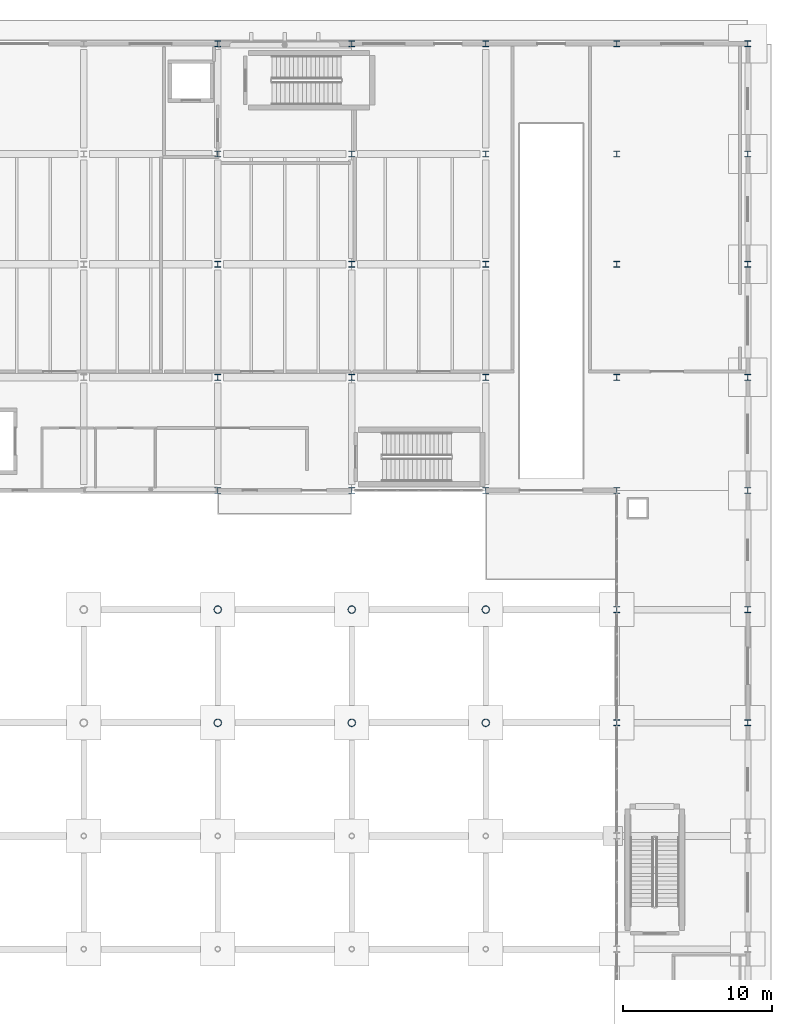
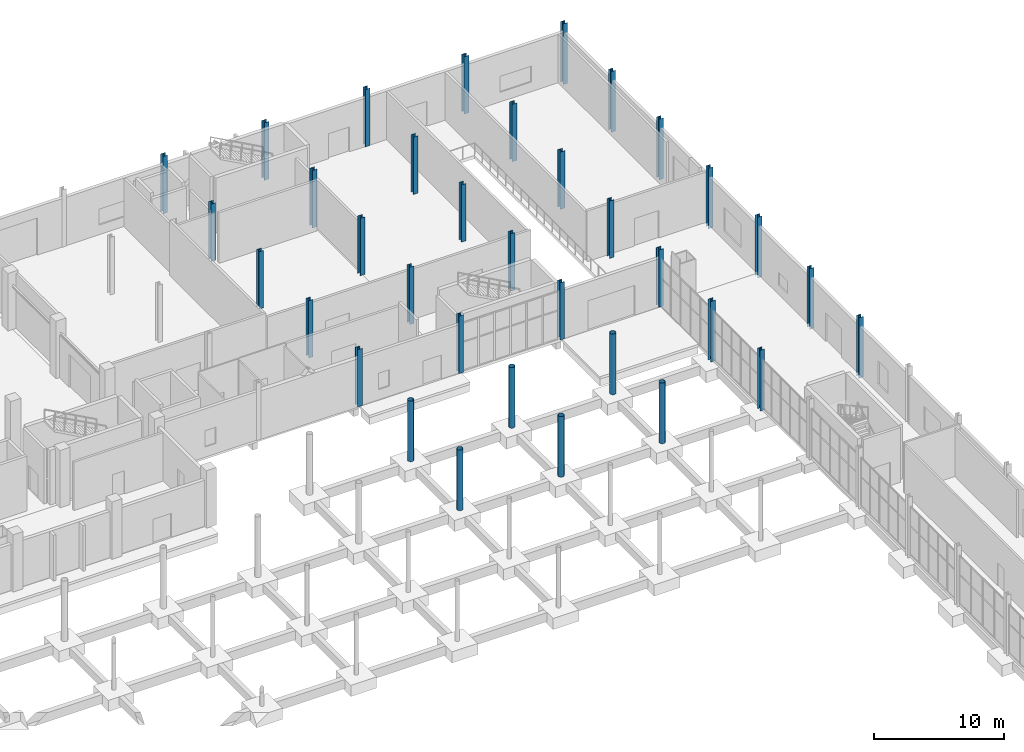
# One storey, part 19 of 95: 35 columns.
"""IFC4 building model written with IfcOpenShell, lengths in metres."""

from ifc_helpers import new_model, si_unit, direction, frame, origin, origin_2d, place, context, subcontext, project, spatial, hollow_circle, i_section, extrude, material, material_profile, profile_set, type_object, element, save


model = new_model("IFC4")

# Units and contexts
model_context = context("Model", 3, precision=1e-05, world=origin(), true_north=direction((0.0, 1.0)))
body_context = subcontext(model_context, "Body", "Model", "MODEL_VIEW")
ifc_project = project(units=[si_unit("LENGTHUNIT", "METRE"), si_unit("AREAUNIT", "SQUARE_METRE"), si_unit("VOLUMEUNIT", "CUBIC_METRE"), si_unit("PLANEANGLEUNIT", "RADIAN"), si_unit("MASSUNIT", "GRAM", prefix="KILO")], contexts=[model_context])

# Site, building, storey
site_placement = place(None, origin())
site = spatial("IfcSite", under=ifc_project, at=site_placement, CompositionType="ELEMENT")
building_placement = place(site_placement, origin())
building = spatial("IfcBuilding", under=site, at=building_placement, Name="Shengluoqiao Park Theatre", CompositionType="ELEMENT")
storey_placement = place(building_placement, origin())
storey = spatial("IfcBuildingStorey", under=building, at=storey_placement, Name="L00", CompositionType="ELEMENT", Elevation=0.0)

# Columns
ifc_material = material(Name="Steel Q390", Category="steel")
ifc_material_profile_1 = material_profile(ifc_material, hollow_circle(Radius=0.25390625, WallThickness=0.02001953125, at=origin_2d()), Name="CHS 508x20")
ifc_profile_set_1 = profile_set([ifc_material_profile_1], Name="Steel Q390")
column_type_1 = type_object("IfcColumnType", Name="STR-COL-C-CHS508", PredefinedType="COLUMN", material=ifc_profile_set_1)
for number, where, z_axis, x_axis, name in (
    (1, (130.39990234375, 68.39990234375, -0.300048828125), (0.0, 0.0, 1.0), (1.0, 0.0, 0.0), "L00 Column 0629"),
    (2, (130.39990234375, 76.0, -0.300048828125), (0.0, 0.0, 1.0), (1.0, 0.0, 0.0), "L00 Column 0632"),
    (3, (139.39990234375, 68.39990234375, -0.300048828125), (0.0, 0.0, 1.0), (1.0, 0.0, 0.0), "L00 Column 0674"),
    (4, (139.39990234375, 76.0, -0.300048828125), (0.0, 0.0, 1.0), (1.0, 0.0, 0.0), "L00 Column 0677"),
    (5, (148.39990234375, 68.39990234375, -0.300048828125), (0.0, 0.0, 1.0), (1.0, 0.0, 0.0), "L00 Column 0731"),
    (6, (148.39990234375, 76.0, -0.300048828125), (0.0, 0.0, 1.0), (1.0, 0.0, 0.0), "L00 Column 0734"),
):
    element("IfcColumn", number, at=place(storey_placement, frame(where, z_axis=z_axis, x_axis=x_axis)), inside=storey, type_object=column_type_1, Name=name, PredefinedType="COLUMN", context=body_context, shape_type="SweptSolid", body=[
        extrude(hollow_circle(Radius=0.25390625, WallThickness=0.02001953125, at=origin_2d()), origin(), (0.0, 0.0, 1.0), 5.699951171875),
    ])
ifc_material_profile_2 = material_profile(ifc_material, i_section(OverallWidth=0.407958984375, OverallDepth=0.39990234375, WebThickness=0.02099609375, FlangeThickness=0.02099609375, FilletRadius=0.02197265625, at=origin_2d()), Name="HW 400x408x21x21")
ifc_profile_set_2 = profile_set([ifc_material_profile_2], Name="Steel Q390")
column_type_2 = type_object("IfcColumnType", Name="STR-COL-C-HW408", PredefinedType="COLUMN", material=ifc_profile_set_2)
for number, where, z_axis, x_axis, name in (
    (7, (130.39990234375, 84.0, 0.0), (0.0, 0.0, 1.0), (1.0, 0.0, 0.0), "L00 Column 0636"),
    (8, (130.39990234375, 91.60009765625, 0.0), (0.0, 0.0, 1.0), (1.0, 0.0, 0.0), "L00 Column 0643"),
    (9, (130.39990234375, 99.199951171875, 0.0), (0.0, 0.0, 1.0), (1.0, 0.0, 0.0), "L00 Column 0650"),
    (10, (130.39990234375, 106.60009765625, 0.0), (0.0, 0.0, 1.0), (1.0, 0.0, 0.0), "L00 Column 0657"),
    (11, (130.39990234375, 114.0, 0.0), (0.0, 0.0, 1.0), (1.0, 0.0, 0.0), "L00 Column 0664"),
    (12, (139.39990234375, 84.0, 0.0), (0.0, 0.0, 1.0), (1.0, 0.0, 0.0), "L00 Column 0681"),
    (13, (139.39990234375, 91.60009765625, 0.0), (0.0, 0.0, 1.0), (1.0, 0.0, 0.0), "L00 Column 0688"),
    (14, (139.39990234375, 99.199951171875, 0.0), (0.0, 0.0, 1.0), (1.0, 0.0, 0.0), "L00 Column 0695"),
    (15, (139.39990234375, 106.60009765625, 0.0), (0.0, 0.0, 1.0), (1.0, 0.0, 0.0), "L00 Column 0702"),
    (16, (139.39990234375, 114.0, 0.0), (0.0, 0.0, 1.0), (1.0, 0.0, 0.0), "L00 Column 0709"),
    (17, (148.39990234375, 84.0, 0.0), (0.0, 0.0, 1.0), (1.0, 0.0, 0.0), "L00 Column 0738"),
    (18, (148.39990234375, 91.60009765625, 0.0), (0.0, 0.0, 1.0), (1.0, 0.0, 0.0), "L00 Column 0745"),
    (19, (148.39990234375, 99.199951171875, 0.0), (0.0, 0.0, 1.0), (1.0, 0.0, 0.0), "L00 Column 0752"),
    (20, (148.39990234375, 106.60009765625, 0.0), (0.0, 0.0, 1.0), (1.0, 0.0, 0.0), "L00 Column 0759"),
    (21, (148.39990234375, 114.0, 0.0), (0.0, 0.0, 1.0), (1.0, 0.0, 0.0), "L00 Column 0766"),
):
    element("IfcColumn", number, at=place(storey_placement, frame(where, z_axis=z_axis, x_axis=x_axis)), inside=storey, type_object=column_type_2, Name=name, PredefinedType="COLUMN", context=body_context, shape_type="SweptSolid", body=[
        extrude(i_section(OverallWidth=0.407958984375, OverallDepth=0.39990234375, WebThickness=0.02099609375, FlangeThickness=0.02099609375, FilletRadius=0.02197265625, at=origin_2d()), origin(), (0.0, 0.0, 1.0), 5.39990234375),
    ])
for number, where, z_axis, x_axis, name in (
    (22, (157.199951171875, 68.39990234375, -0.300048828125), (0.0, 0.0, 1.0), (1.0, 0.0, 0.0), "L00 Column 0796"),
    (23, (157.199951171875, 76.0, -0.300048828125), (0.0, 0.0, 1.0), (1.0, 0.0, 0.0), "L00 Column 0799"),
):
    element("IfcColumn", number, at=place(storey_placement, frame(where, z_axis=z_axis, x_axis=x_axis)), inside=storey, type_object=column_type_2, Name=name, PredefinedType="COLUMN", context=body_context, shape_type="SweptSolid", body=[
        extrude(i_section(OverallWidth=0.407958984375, OverallDepth=0.39990234375, WebThickness=0.02099609375, FlangeThickness=0.02099609375, FilletRadius=0.02197265625, at=origin_2d()), origin(), (0.0, 0.0, 1.0), 5.699951171875),
    ])
for number, where, z_axis, x_axis, name in (
    (24, (157.199951171875, 84.0, 0.0), (0.0, 0.0, 1.0), (1.0, 0.0, 0.0), "L00 Column 0803"),
    (25, (157.199951171875, 91.60009765625, 0.0), (0.0, 0.0, 1.0), (1.0, 0.0, 0.0), "L00 Column 0809"),
    (26, (157.199951171875, 99.199951171875, 0.0), (0.0, 0.0, 1.0), (1.0, 0.0, 0.0), "L00 Column 0815"),
    (27, (157.199951171875, 106.60009765625, 0.0), (0.0, 0.0, 1.0), (1.0, 0.0, 0.0), "L00 Column 0821"),
    (28, (157.199951171875, 114.0, 0.0), (0.0, 0.0, 1.0), (1.0, 0.0, 0.0), "L00 Column 0827"),
):
    element("IfcColumn", number, at=place(storey_placement, frame(where, z_axis=z_axis, x_axis=x_axis)), inside=storey, type_object=column_type_2, Name=name, PredefinedType="COLUMN", context=body_context, shape_type="SweptSolid", body=[
        extrude(i_section(OverallWidth=0.407958984375, OverallDepth=0.39990234375, WebThickness=0.02099609375, FlangeThickness=0.02099609375, FilletRadius=0.02197265625, at=origin_2d()), origin(), (0.0, 0.0, 1.0), 5.39990234375),
    ])
for number, where, z_axis, x_axis, name in (
    (29, (166.0, 68.39990234375, -0.300048828125), (0.0, 0.0, 1.0), (1.0, 0.0, 0.0), "L00 Column 0859"),
    (30, (166.0, 76.0, -0.300048828125), (0.0, 0.0, 1.0), (1.0, 0.0, 0.0), "L00 Column 0862"),
    (31, (166.0, 84.0, -0.300048828125), (0.0, 0.0, 1.0), (1.0, 0.0, 0.0), "L00 Column 0865"),
    (32, (166.0, 91.60009765625, -0.300048828125), (0.0, 0.0, 1.0), (1.0, 0.0, 0.0), "L00 Column 0869"),
    (33, (166.0, 99.199951171875, -0.300048828125), (0.0, 0.0, 1.0), (1.0, 0.0, 0.0), "L00 Column 0873"),
    (34, (166.0, 106.60009765625, -0.300048828125), (0.0, 0.0, 1.0), (1.0, 0.0, 0.0), "L00 Column 0877"),
    (35, (166.0, 114.0, -0.300048828125), (0.0, 0.0, 1.0), (1.0, 0.0, 0.0), "L00 Column 0881"),
):
    element("IfcColumn", number, at=place(storey_placement, frame(where, z_axis=z_axis, x_axis=x_axis)), inside=storey, type_object=column_type_2, Name=name, PredefinedType="COLUMN", context=body_context, shape_type="SweptSolid", body=[
        extrude(i_section(OverallWidth=0.407958984375, OverallDepth=0.39990234375, WebThickness=0.02099609375, FlangeThickness=0.02099609375, FilletRadius=0.02197265625, at=origin_2d()), origin(), (0.0, 0.0, 1.0), 5.699951171875),
    ])

save(model, "model.ifc")
